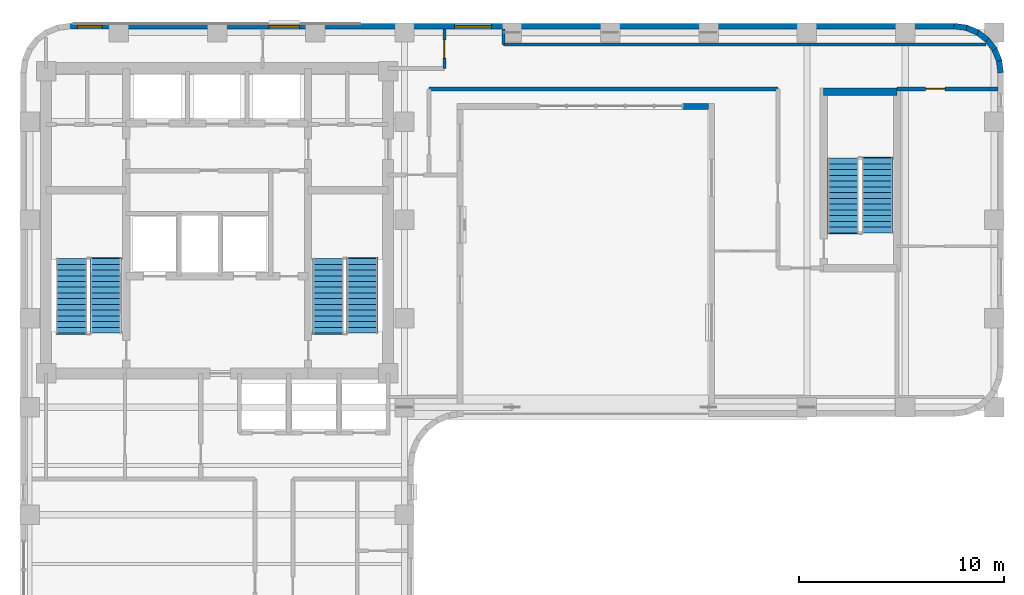
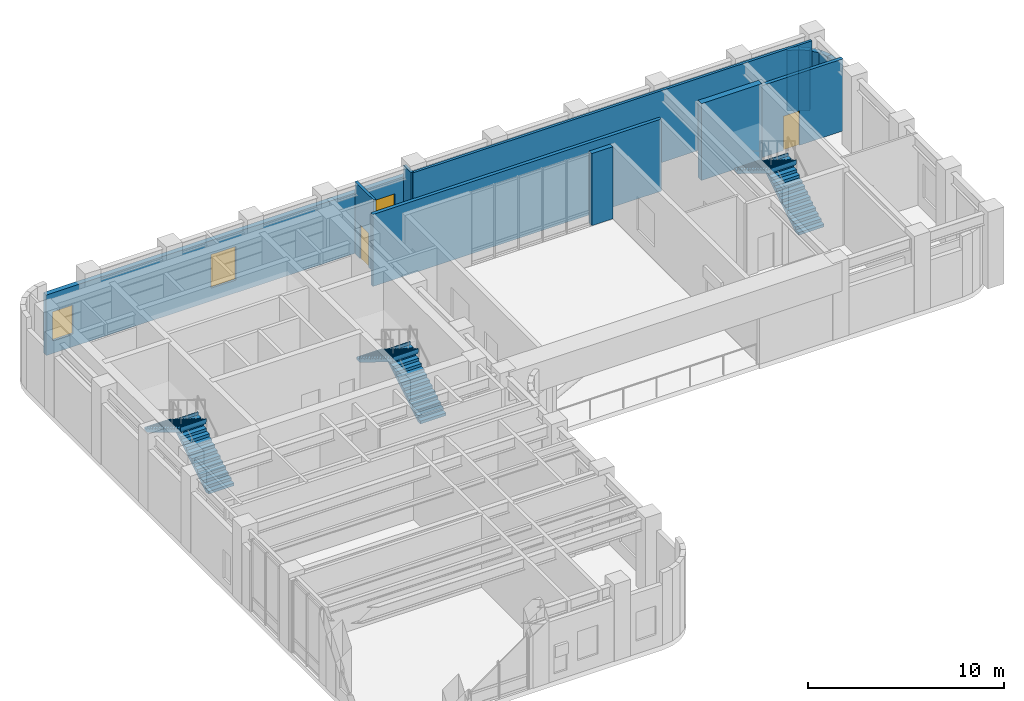
# One storey, part 9 of 12: 14 walls, 6 stair flights, 3 windows, 2 doors, 5 openings, 3 elements without a shape of their own.
"""IFC4 building model written with IfcOpenShell, lengths in metres."""

import ifcopenshell
import ifcopenshell.guid

model = None  # the IFC model being written
_history = None  # IfcOwnerHistory: only IFC2X3 demands one
_inside = {}  # id of a spatial element -> (the spatial element, [elements in it])
_under = {}  # id of a project, library or spatial element -> (it, [spatial elements below it])
_declared = {}  # id of a project -> (the project, [libraries it declares])
_typed = {}  # id of a type object -> (the type object, [elements of that type])
_made_of = {}  # id of a material, layer set ... -> (it, [elements and type objects made of it])


def new_model(schema):
    """Start an empty IFC model of exactly this schema.

    Asked for "IFC4X3", IfcOpenShell would pick the latest addendum, in which some entities
    have other attributes; the version numbers below select the first issue.
    IFC2X3 requires an IfcOwnerHistory on every rooted entity: one is made here for all.
    """
    global model, _history
    if schema == "IFC4X3":
        model = ifcopenshell.file(schema_version=(4, 3, 0, 0))
    else:
        model = ifcopenshell.file(schema=schema)
    _inside.clear()
    _under.clear()
    _declared.clear()
    _typed.clear()
    _made_of.clear()
    _history = None
    if model.schema == "IFC2X3":
        org = make("IfcOrganization", Name="unknown")
        user = make(
            "IfcPersonAndOrganization",
            ThePerson=make("IfcPerson", FamilyName="unknown"),
            TheOrganization=org,
        )
        app = make(
            "IfcApplication",
            ApplicationDeveloper=org,
            Version="unknown",
            ApplicationFullName="unknown",
            ApplicationIdentifier="unknown",
        )
        _history = make(
            "IfcOwnerHistory",
            OwningUser=user,
            OwningApplication=app,
            ChangeAction="ADDED",
            CreationDate=0,
        )
    return model


def make(cls, **values):
    """One entity of the class cls with the attributes given. An attribute that is None is left unset."""
    return model.create_entity(
        cls, **{name: value for name, value in values.items() if value is not None}
    )


def rooted(cls, **values):
    """An entity with a GlobalId (a new one), such as an element, a storey or a relation."""
    return make(cls, GlobalId=ifcopenshell.guid.new(), OwnerHistory=_history, **values)


def si_unit(unit_type, name, prefix=None):
    """IfcSIUnit, for example si_unit("LENGTHUNIT", "METRE", prefix="MILLI")."""
    return make("IfcSIUnit", UnitType=unit_type, Prefix=prefix, Name=name)


def assignment(units):
    """IfcUnitAssignment: the units of a project."""
    return None if units is None else make("IfcUnitAssignment", Units=units)


def point(xyz):
    """IfcCartesianPoint."""
    return None if xyz is None else make("IfcCartesianPoint", Coordinates=xyz)


def direction(xyz):
    """IfcDirection."""
    return None if xyz is None else make("IfcDirection", DirectionRatios=xyz)


def frame(location, z_axis=None, x_axis=None):
    """IfcAxis2Placement3D, a coordinate frame: its origin and axes. An axis left out is left unset."""
    return make(
        "IfcAxis2Placement3D",
        Location=point(location),
        Axis=direction(z_axis),
        RefDirection=direction(x_axis),
    )


def frame_2d(location, x_axis=None):
    """IfcAxis2Placement2D, a coordinate frame in the plane: its origin and x axis."""
    return make(
        "IfcAxis2Placement2D", Location=point(location), RefDirection=direction(x_axis)
    )


def origin():
    """The frame at (0, 0, 0) with its axes left unset."""
    return frame((0.0, 0.0, 0.0))


def place(relative_to, where):
    """IfcLocalPlacement: puts the frame where relative to a parent placement (None: the world)."""
    return make(
        "IfcLocalPlacement", PlacementRelTo=relative_to, RelativePlacement=where
    )


def context(
    kind, dimensions, precision=None, world=None, true_north=None, identifier=None
):
    """IfcGeometricRepresentationContext, for example the 3D "Model" context."""
    return make(
        "IfcGeometricRepresentationContext",
        ContextIdentifier=identifier,
        ContextType=kind,
        CoordinateSpaceDimension=dimensions,
        Precision=precision,
        WorldCoordinateSystem=world,
        TrueNorth=true_north,
    )


def subcontext(parent, identifier, kind, view, scale=None):
    """IfcGeometricRepresentationSubContext, for example "Body" below "Model"."""
    return make(
        "IfcGeometricRepresentationSubContext",
        ContextIdentifier=identifier,
        ContextType=kind,
        ParentContext=parent,
        TargetScale=scale,
        TargetView=view,
    )


def project(units=None, contexts=None):
    """IfcProject with its units and contexts."""
    return rooted(
        "IfcProject",
        Name="project",
        RepresentationContexts=contexts,
        UnitsInContext=assignment(units),
    )


def spatial(cls, under=None, at=None, **own):
    """A site, building, storey or space (cls), placed at a placement, below another one or the project."""
    s = rooted(cls, ObjectPlacement=at, **own)
    if under is not None:
        _under.setdefault(under.id(), (under, []))[1].append(s)
    return s


def polyline(points):
    """IfcPolyline through the points."""
    return make("IfcPolyline", Points=[point(p) for p in points])


def profile(cls, at=None, kind="AREA", **sizes):
    """A parametric profile (cls). Its sizes go by their IFC names, for example OverallWidth=200.0."""
    return make(cls, ProfileType=kind, Position=at, **sizes)


def rectangle(**sizes):
    """IfcRectangleProfileDef."""
    return profile("IfcRectangleProfileDef", **sizes)


def outline(outer, holes=None, kind="AREA"):
    """IfcArbitraryClosedProfileDef: a profile drawn as a closed curve; with holes, ...WithVoids."""
    if holes is None:
        return make("IfcArbitraryClosedProfileDef", ProfileType=kind, OuterCurve=outer)
    return make(
        "IfcArbitraryProfileDefWithVoids",
        ProfileType=kind,
        OuterCurve=outer,
        InnerCurves=holes,
    )


def extrude(swept, where, along, depth):
    """IfcExtrudedAreaSolid: the profile swept, set in the frame where, extruded along a direction by depth."""
    return make(
        "IfcExtrudedAreaSolid",
        SweptArea=swept,
        Position=where,
        ExtrudedDirection=direction(along),
        Depth=depth,
    )


def shape(context_of_items, identifier, shape_type, items):
    """IfcShapeRepresentation: the items that make up one representation, for example the "Body"."""
    return make(
        "IfcShapeRepresentation",
        ContextOfItems=context_of_items,
        RepresentationIdentifier=identifier,
        RepresentationType=shape_type,
        Items=items,
    )


def material(Name=None, Category=None):
    """IfcMaterial."""
    return make("IfcMaterial", Name=Name, Category=Category)


def layer(
    of_material, thickness, ventilated=None, Name=None, Category=None, Priority=None
):
    """IfcMaterialLayer: one layer of a wall or slab, of a material (None: an air gap)."""
    return make(
        "IfcMaterialLayer",
        Material=of_material,
        LayerThickness=thickness,
        IsVentilated=ventilated,
        Name=Name,
        Category=Category,
        Priority=Priority,
    )


def layer_set(layers, Name=None):
    """IfcMaterialLayerSet."""
    return make("IfcMaterialLayerSet", MaterialLayers=layers, LayerSetName=Name)


def made_of(thing, what):
    """Note that an element or type object is made of a material, layer set ...; save() writes the relation."""
    if what is not None:
        _made_of.setdefault(what.id(), (what, []))[1].append(thing)
    return thing


def type_object(cls, material=None, **own):
    """A type object (cls), such as IfcWallType, which elements share."""
    return made_of(rooted(cls, **own), material)


def element(
    cls,
    number,
    at=None,
    inside=None,
    cuts=None,
    type_object=None,
    material=None,
    context=None,
    identifier="Body",
    shape_type=None,
    held_by="IfcProductDefinitionShape",
    body=None,
    shapes=None,
    **own,
):
    """One element of the class cls, such as IfcWall. Its Tag is "e" and its number.

    at: its placement. inside: the storey or other place that contains it. cuts: it is an
    opening in that element (IfcRelVoidsElement). A single representation is given by context,
    identifier, shape_type and body (its items); several are given by shapes. held_by: the class
    of the entity that holds the representations. save() writes the other relations.
    """
    e = rooted(cls, Tag="e%d" % number, ObjectPlacement=at, **own)
    if body is not None:
        shapes = [shape(context, identifier, shape_type, body)]
    if shapes is not None:
        e.Representation = make(held_by, Representations=shapes)
    if inside is not None:
        _inside.setdefault(inside.id(), (inside, []))[1].append(e)
    if cuts is not None:
        rooted(
            "IfcRelVoidsElement", RelatingBuildingElement=cuts, RelatedOpeningElement=e
        )
    if type_object is not None:
        _typed.setdefault(type_object.id(), (type_object, []))[1].append(e)
    return made_of(e, material)


def fill(opening, filler):
    """IfcRelFillsElement: the door or window that sits in an opening."""
    return rooted(
        "IfcRelFillsElement",
        RelatingOpeningElement=opening,
        RelatedBuildingElement=filler,
    )


def aggregate(whole, parts):
    """IfcRelAggregates: a whole, such as a stair, and the parts it consists of."""
    return rooted("IfcRelAggregates", RelatingObject=whole, RelatedObjects=parts)


def save(model, path):
    """Write the relations noted so far, then the file.

    IfcRelAggregates (storeys below a building ...), IfcRelContainedInSpatialStructure (elements
    in a storey), IfcRelDefinesByType, IfcRelAssociatesMaterial and IfcRelDeclares: one each for
    every whole, place, type object, material and project.
    """
    for whole, parts in _under.values():
        aggregate(whole, parts)
    for where, things in _inside.values():
        rooted(
            "IfcRelContainedInSpatialStructure",
            RelatedElements=things,
            RelatingStructure=where,
        )
    for kind, things in _typed.values():
        rooted("IfcRelDefinesByType", RelatedObjects=things, RelatingType=kind)
    for what, things in _made_of.values():
        rooted("IfcRelAssociatesMaterial", RelatedObjects=things, RelatingMaterial=what)
    for by, libraries in _declared.values():
        rooted("IfcRelDeclares", RelatingContext=by, RelatedDefinitions=libraries)
    model.write(path)


model = new_model("IFC4")

# Units and contexts
model_context = context("Model", 3, precision=1e-05, world=origin(), true_north=direction((0.0, 1.0)))
body_context = subcontext(model_context, "Body", "Model", "MODEL_VIEW")
ifc_project = project(units=[si_unit("LENGTHUNIT", "METRE"), si_unit("AREAUNIT", "SQUARE_METRE"), si_unit("VOLUMEUNIT", "CUBIC_METRE"), si_unit("PLANEANGLEUNIT", "RADIAN"), si_unit("MASSUNIT", "GRAM", prefix="KILO")], contexts=[model_context])

# Site, building, storey
site_placement = place(None, origin())
site = spatial("IfcSite", under=ifc_project, at=site_placement, CompositionType="ELEMENT")
building_placement = place(site_placement, origin())
building = spatial("IfcBuilding", under=site, at=building_placement, Name="Orvandelia Arch Residences", CompositionType="ELEMENT")
storey_placement = place(building_placement, frame((0.0, 0.0, 193.60009765625)))
storey = spatial("IfcBuildingStorey", under=building, at=storey_placement, Name="L51", CompositionType="ELEMENT", Elevation=193.60009765625)

# Walls
ifc_material_1 = material(Name="Concrete C50/60", Category="concrete")
ifc_layer_1 = layer(ifc_material_1, 0.35009765625, Name="Concrete C50/60", Category="concrete")
ifc_layer_set_1 = layer_set([ifc_layer_1], Name="Concrete C50/60")
wall_type_1 = type_object("IfcWallType", Name="WL-CORE-350", PredefinedType="SHEAR", material=ifc_layer_set_1)
wall_1_placement = place(storey_placement, frame((44.02001953125, 44.659912109375, 0.0), z_axis=(0.0, 0.0, 1.0), x_axis=(1.0, 0.0, 0.0)))
element("IfcWall", 1, at=wall_1_placement, inside=storey, type_object=wall_type_1, Name="East Stair Core Shear Wall L51-N", PredefinedType="SHEAR", context=body_context, shape_type="SweptSolid", body=[
    extrude(rectangle(XDim=3.580078125, YDim=0.35009765625, at=frame_2d((1.7900390625, 0.0))), origin(), (0.0, 0.0, 1.0), 4.7998046875),
])
ifc_material_2 = material(Name="Fire-Rated Corridor Partition")
ifc_layer_2 = layer(ifc_material_2, 0.199951171875, Name="Fire-Rated Corridor Partition")
ifc_layer_set_2 = layer_set([ifc_layer_2], Name="Fire-Rated Corridor Partition")
wall_type_2 = type_object("IfcWallType", Name="WL-CORR-200", PredefinedType="PARTITIONING", material=ifc_layer_set_2)
wall_2_placement = place(storey_placement, frame((24.75, 44.800048828125, 0.0), z_axis=(0.0, 0.0, 1.0), x_axis=(1.0, 0.0, 0.0)))
element("IfcWall", 2, at=wall_2_placement, inside=storey, type_object=wall_type_2, Name="Interior Partition Wall WL-L51-SKES1", PredefinedType="PARTITIONING", context=body_context, shape_type="SweptSolid", body=[
    extrude(rectangle(XDim=17.030029296875, YDim=0.199951171875, at=frame_2d((8.51513671875, 0.0))), origin(), (0.0, 0.0, 1.0), 4.5),
])

# Wall, opening, door
wall_3_placement = place(storey_placement, frame((47.60009765625, 44.800048828125, 0.0), z_axis=(0.0, 0.0, 1.0), x_axis=(1.0, 0.0, 0.0)))
wall_3 = element("IfcWall", 3, at=wall_3_placement, inside=storey, type_object=wall_type_2, Name="Interior Partition Wall WL-L51-SKES2", PredefinedType="PARTITIONING", context=body_context, shape_type="SweptSolid", body=[
    extrude(rectangle(XDim=4.919921875, YDim=0.199951171875, at=frame_2d((2.4599609375, 0.0))), origin(), (0.0, 0.0, 1.0), 4.5),
])
opening_1_placement = place(wall_3_placement, frame((1.39990234375, 0.0, 0.0)))
opening_1 = element("IfcOpeningElement", 4, at=opening_1_placement, cuts=wall_3, Name="Opening D2", PredefinedType="OPENING", context=body_context, shape_type="SweptSolid", body=[
    extrude(rectangle(XDim=0.949951171875, YDim=2.14990234375, at=frame_2d((0.47509765625, 1.074951171875))), frame((0.0, 0.10986328125, 0.0), z_axis=(0.0, -1.0, 0.0), x_axis=(1.0, 0.0, 0.0)), (0.0, 0.0, 1.0), 0.219970703125),
])
ifc_material_3 = material(Name="Solid-Core Timber Interior Fire Door", Category="wood")
door_type_1 = type_object("IfcDoorType", Name="DR-APT-950", OperationType="NOTDEFINED", PredefinedType="DOOR", material=ifc_material_3)
door_1_placement = place(opening_1_placement, origin())
door_1 = element("IfcDoor", 5, at=door_1_placement, inside=storey, type_object=door_type_1, Name="DR-L51-SKEL2A", OperationType="SINGLE_SWING_RIGHT", OverallHeight=2.14990234375, OverallWidth=0.949951171875, PredefinedType="DOOR", context=body_context, shape_type="SweptSolid", body=[
    extrude(rectangle(XDim=0.949951171875, YDim=2.14990234375, at=frame_2d((0.47509765625, 1.074951171875))), frame((0.0, 0.02490234375, 0.0), z_axis=(0.0, -1.0, 0.0), x_axis=(1.0, 0.0, 0.0)), (0.0, 0.0, 1.0), 0.050048828125),
])
fill(opening_1, door_1)

# Wall, openings, windows
ifc_material_4 = material(Name="Precast concrete C40/50", Category="concrete")
ifc_layer_3 = layer(ifc_material_4, 0.280029296875, Name="Precast concrete C40/50", Category="concrete")
ifc_layer_set_3 = layer_set([ifc_layer_3], Name="Precast concrete C40/50")
wall_type_3 = type_object("IfcWallType", Name="WL-EXT-STONE-280", PredefinedType="STANDARD", material=ifc_layer_set_3)
wall_4_placement = place(storey_placement, frame((7.199951171875, 47.860107421875, 0.0), z_axis=(0.0, 0.0, 1.0), x_axis=(1.0, 0.0, 0.0)))
wall_4 = element("IfcWall", 6, at=wall_4_placement, inside=storey, type_object=wall_type_3, Name="Coral-Limestone Precast Facade Wall L51-007", PredefinedType="STANDARD", context=body_context, shape_type="SweptSolid", body=[
    extrude(rectangle(XDim=43.199951171875, YDim=0.280029296875, at=frame_2d((21.60009765625, 0.0))), origin(), (0.0, 0.0, 1.0), 3.77978515625),
])
opening_2_placement = place(wall_4_placement, frame((18.802490234375, 0.0, 0.800048828125)))
opening_2 = element("IfcOpeningElement", 7, at=opening_2_placement, cuts=wall_4, Name="Opening W1", PredefinedType="OPENING", context=body_context, shape_type="SweptSolid", body=[
    extrude(rectangle(XDim=1.800048828125, YDim=2.10009765625, at=frame_2d((0.89990234375, 1.050048828125))), frame((0.0, 0.14990234375, 0.0), z_axis=(0.0, -1.0, 0.0), x_axis=(1.0, 0.0, 0.0)), (0.0, 0.0, 1.0), 0.300048828125),
])
opening_3_placement = place(wall_4_placement, frame((0.382568359375, 0.0, 0.800048828125)))
opening_3 = element("IfcOpeningElement", 8, at=opening_3_placement, cuts=wall_4, Name="Opening W3", PredefinedType="OPENING", context=body_context, shape_type="SweptSolid", body=[
    extrude(rectangle(XDim=1.199951171875, YDim=1.800048828125, at=frame_2d((0.60009765625, 0.89990234375))), frame((0.0, 0.14990234375, 0.0), z_axis=(0.0, -1.0, 0.0), x_axis=(1.0, 0.0, 0.0)), (0.0, 0.0, 1.0), 0.300048828125),
])
opening_4_placement = place(wall_4_placement, frame((9.722412109375, 0.0, 0.800048828125)))
opening_4 = element("IfcOpeningElement", 9, at=opening_4_placement, cuts=wall_4, Name="Opening W2", PredefinedType="OPENING", context=body_context, shape_type="SweptSolid", body=[
    extrude(rectangle(XDim=1.5, YDim=2.10009765625, at=frame_2d((0.75, 1.050048828125))), frame((0.0, 0.14990234375, 0.0), z_axis=(0.0, -1.0, 0.0), x_axis=(1.0, 0.0, 0.0)), (0.0, 0.0, 1.0), 0.300048828125),
])
ifc_material_5 = material(Name="Tempered Low-E Insulated Glazing", Category="glass")
window_type_1 = type_object("IfcWindowType", Name="WIN-RES-1200x1800", PartitioningType="SINGLE_PANEL", PredefinedType="WINDOW", material=ifc_material_5)
window_1_placement = place(opening_3_placement, origin())
window_1 = element("IfcWindow", 10, at=window_1_placement, inside=storey, type_object=window_type_1, Name="Recessed Punched Window L51-002", OverallHeight=1.800048828125, OverallWidth=1.199951171875, PartitioningType="SINGLE_PANEL", PredefinedType="WINDOW", context=body_context, shape_type="SweptSolid", body=[
    extrude(rectangle(XDim=1.199951171875, YDim=1.800048828125, at=frame_2d((0.60009765625, 0.89990234375))), frame((0.0, 0.030029296875, 0.0), z_axis=(0.0, -1.0, 0.0), x_axis=(1.0, 0.0, 0.0)), (0.0, 0.0, 1.0), 0.06005859375),
])
fill(opening_3, window_1)
window_type_2 = type_object("IfcWindowType", Name="WIN-RES-1500x2100", PartitioningType="SINGLE_PANEL", PredefinedType="WINDOW", material=ifc_material_5)
window_2_placement = place(opening_4_placement, origin())
window_2 = element("IfcWindow", 11, at=window_2_placement, inside=storey, type_object=window_type_2, Name="Recessed Punched Window L51-003", OverallHeight=2.10009765625, OverallWidth=1.5, PartitioningType="SINGLE_PANEL", PredefinedType="WINDOW", context=body_context, shape_type="SweptSolid", body=[
    extrude(rectangle(XDim=1.5, YDim=2.10009765625, at=frame_2d((0.75, 1.050048828125))), frame((0.0, 0.030029296875, 0.0), z_axis=(0.0, -1.0, 0.0), x_axis=(1.0, 0.0, 0.0)), (0.0, 0.0, 1.0), 0.06005859375),
])
fill(opening_4, window_2)
window_type_3 = type_object("IfcWindowType", Name="WIN-RES-1800x2100", PartitioningType="SINGLE_PANEL", PredefinedType="WINDOW", material=ifc_material_5)
window_3_placement = place(opening_2_placement, origin())
window_3 = element("IfcWindow", 12, at=window_3_placement, inside=storey, type_object=window_type_3, Name="Recessed Punched Window L51-001", OverallHeight=2.10009765625, OverallWidth=1.800048828125, PartitioningType="SINGLE_PANEL", PredefinedType="WINDOW", context=body_context, shape_type="SweptSolid", body=[
    extrude(rectangle(XDim=1.800048828125, YDim=2.10009765625, at=frame_2d((0.89990234375, 1.050048828125))), frame((0.0, 0.030029296875, 0.0), z_axis=(0.0, -1.0, 0.0), x_axis=(1.0, 0.0, 0.0)), (0.0, 0.0, 1.0), 0.06005859375),
])
fill(opening_2, window_3)

# Walls
wall_5_placement = place(storey_placement, frame((50.381591796875, 47.861083984375, 0.0), z_axis=(0.0, 0.0, 1.0), x_axis=(0.991447664465, -0.130504898859, 0.0)))
element("IfcWall", 13, at=wall_5_placement, inside=storey, type_object=wall_type_3, Name="Coral-Limestone Precast Facade Wall L51-008", PredefinedType="STANDARD", context=body_context, shape_type="SweptSolid", body=[
    extrude(rectangle(XDim=0.626708984375, YDim=0.280029296875, at=frame_2d((0.3134765625, 0.0))), origin(), (0.0, 0.0, 1.0), 3.77978515625),
])
for number, where, z_axis, x_axis, name in (
    (14, (50.967529296875, 47.788818359375, 0.0), (0.0, 0.0, 1.0), (0.924031075431, -0.382317370307, 0.0), "Coral-Limestone Precast Facade Wall L51-009"),
    (15, (51.514892578125, 47.5673828125, 0.0), (0.0, 0.0, 1.0), (0.793405610854, -0.608693302629, 0.0), "Coral-Limestone Precast Facade Wall L51-010"),
    (16, (51.986083984375, 47.2119140625, 0.0), (0.0, 0.0, 1.0), (0.608693302629, -0.793405610854, 0.0), "Coral-Limestone Precast Facade Wall L51-011"),
    (17, (52.34912109375, 46.746337890625, 0.0), (0.0, 0.0, 1.0), (0.382650053678, -0.92389335771, 0.0), "Coral-Limestone Precast Facade Wall L51-012"),
    (18, (52.579345703125, 46.202880859375, 0.0), (0.0, 0.0, 1.0), (0.130555323746, -0.9914410257, 0.0), "Coral-Limestone Precast Facade Wall L51-013"),
):
    element("IfcWall", number, at=place(storey_placement, frame(where, z_axis=z_axis, x_axis=x_axis)), inside=storey, type_object=wall_type_3, Name=name, PredefinedType="STANDARD", context=body_context, shape_type="SweptSolid", body=[
        extrude(rectangle(XDim=0.62646484375, YDim=0.280029296875, at=frame_2d((0.313232421875, 0.0))), origin(), (0.0, 0.0, 1.0), 3.77978515625),
    ])
wall_6_placement = place(storey_placement, frame((38.39990234375, 43.93994140625, 0.0), z_axis=(0.0, 0.0, 1.0), x_axis=(-1.0, 0.0, 0.0)))
element("IfcWall", 19, at=wall_6_placement, inside=storey, type_object=wall_type_3, Name="Coral-Limestone Precast Facade Wall L51-023", PredefinedType="STANDARD", context=body_context, shape_type="SweptSolid", body=[
    extrude(rectangle(XDim=1.239990234375, YDim=0.280029296875, at=frame_2d((0.6201171875, 0.0))), origin(), (0.0, 0.0, 1.0), 4.5),
])

# Wall, opening, door
ifc_material_6 = material(Name="Acoustic Gypsum Stud Partition")
ifc_layer_4 = layer(ifc_material_6, 0.14990234375, Name="Acoustic Gypsum Stud Partition")
ifc_layer_set_4 = layer_set([ifc_layer_4], Name="Acoustic Gypsum Stud Partition")
wall_type_4 = type_object("IfcWallType", Name="WL-PART-150", PredefinedType="PARTITIONING", material=ifc_layer_set_4)
wall_7_placement = place(storey_placement, frame((25.5, 45.800048828125, 0.0), z_axis=(0.0, 0.0, 1.0), x_axis=(0.0, 1.0, 0.0)))
wall_7 = element("IfcWall", 20, at=wall_7_placement, inside=storey, type_object=wall_type_4, Name="Interior Partition Wall WL-L51-SKNC-E", PredefinedType="PARTITIONING", context=body_context, shape_type="SweptSolid", body=[
    extrude(rectangle(XDim=1.919921875, YDim=0.14990234375, at=frame_2d((0.9599609375, 0.0))), origin(), (0.0, 0.0, 1.0), 4.5),
])
opening_5_placement = place(wall_7_placement, frame((0.5, 0.0, 0.0)))
opening_5 = element("IfcOpeningElement", 21, at=opening_5_placement, cuts=wall_7, Name="Opening D5", PredefinedType="OPENING", context=body_context, shape_type="SweptSolid", body=[
    extrude(rectangle(XDim=0.8798828125, YDim=2.10009765625, at=frame_2d((0.43994140625, 1.050048828125))), frame((0.0, 0.0849609375, 0.0), z_axis=(0.0, -1.0, 0.0), x_axis=(1.0, 0.0, 0.0)), (0.0, 0.0, 1.0), 0.169921875),
])
ifc_material_7 = material(Name="Painted Galvanised Steel Service Door", Category="steel")
door_type_2 = type_object("IfcDoorType", Name="DR-SRV-880", OperationType="NOTDEFINED", PredefinedType="DOOR", material=ifc_material_7)
door_2_placement = place(opening_5_placement, origin())
door_2 = element("IfcDoor", 22, at=door_2_placement, inside=storey, type_object=door_type_2, Name="DR-L51-SKNP2", OperationType="SINGLE_SWING_LEFT", OverallHeight=2.10009765625, OverallWidth=0.8798828125, PredefinedType="DOOR", context=body_context, shape_type="SweptSolid", body=[
    extrude(rectangle(XDim=0.8798828125, YDim=2.10009765625, at=frame_2d((0.43994140625, 1.050048828125))), frame((0.0, 0.02490234375, 0.0), z_axis=(0.0, -1.0, 0.0), x_axis=(1.0, 0.0, 0.0)), (0.0, 0.0, 1.0), 0.050048828125),
])
fill(opening_5, door_2)

# Walls
wall_8_placement = place(storey_placement, frame((28.3798828125, 46.9599609375, 0.0), z_axis=(0.0, 0.0, 1.0), x_axis=(0.0, 1.0, 0.0)))
element("IfcWall", 23, at=wall_8_placement, inside=storey, type_object=wall_type_4, Name="Interior Partition Wall WL-L51-TRUSS-NW", PredefinedType="PARTITIONING", context=body_context, shape_type="SweptSolid", body=[
    extrude(rectangle(XDim=0.760009765625, YDim=0.14990234375, at=frame_2d((0.3798828125, 0.0))), origin(), (0.0, 0.0, 1.0), 4.5),
])
wall_9_placement = place(storey_placement, frame((28.3798828125, 46.9599609375, 0.0), z_axis=(0.0, 0.0, 1.0), x_axis=(1.0, 0.0, 0.0)))
element("IfcWall", 24, at=wall_9_placement, inside=storey, type_object=wall_type_4, Name="Interior Partition Wall WL-L51-TRUSS-N", PredefinedType="PARTITIONING", context=body_context, shape_type="SweptSolid", body=[
    extrude(rectangle(XDim=23.56005859375, YDim=0.14990234375, at=frame_2d((11.780029296875, 0.0))), origin(), (0.0, 0.0, 1.0), 4.5),
])

# Stair, stair flights
ifc_material_8 = material(Name="Concrete C40/50", Category="concrete")
stair_type = type_object("IfcStairType", Name="STAIR-RC-DOGLEG", PredefinedType="HALF_TURN_STAIR", material=ifc_material_8)
stair_1_placement = place(storey_placement, origin())
stair_1 = element("IfcStair", 25, at=stair_1_placement, inside=storey, type_object=stair_type, Name="L51 Protected Exit Stair ST-1", PredefinedType="HALF_TURN_STAIR")
stair_flight_type = type_object("IfcStairFlightType", Name="STFLT-RC-1520", PredefinedType="STRAIGHT", material=ifc_material_8)
stair_flight_1_placement = place(storey_placement, frame((8.9599609375, 32.8701171875, 0.0), z_axis=(0.0, 0.0, 1.0), x_axis=(0.0, 1.0, 0.0)))
stair_flight_1 = element("IfcStairFlight", 26, at=stair_flight_1_placement, type_object=stair_flight_type, Name="ST-1 flight 1", NumberOfRisers=14, NumberOfTreads=13, PredefinedType="STRAIGHT", RiserHeight=0.171428571, TreadLength=0.28, context=body_context, shape_type="SweptSolid", body=[
    extrude(outline(polyline([(0.0, 0.0), (0.0, 0.17138671875), (0.280029296875, 0.17138671875), (0.280029296875, 0.3427734375), (0.56005859375, 0.3427734375), (0.56005859375, 0.514404296875), (0.840087890625, 0.514404296875), (0.840087890625, 0.685791015625), (1.1201171875, 0.685791015625), (1.1201171875, 0.857177734375), (1.39990234375, 0.857177734375), (1.39990234375, 1.028564453125), (1.679931640625, 1.028564453125), (1.679931640625, 1.199951171875), (1.9599609375, 1.199951171875), (1.9599609375, 1.371337890625), (2.239990234375, 1.371337890625), (2.239990234375, 1.54296875), (2.52001953125, 1.54296875), (2.52001953125, 1.71435546875), (2.800048828125, 1.71435546875), (2.800048828125, 1.8857421875), (3.080078125, 1.8857421875), (3.080078125, 2.05712890625), (3.360107421875, 2.05712890625), (3.360107421875, 2.228515625), (3.639892578125, 2.228515625), (3.639892578125, 2.39990234375), (3.699951171875, 2.39990234375), (3.699951171875, 2.219970703125), (3.639892578125, 2.052734375), (0.287109375, 0.0), (0.0, 0.0)])), frame((0.0, 0.760009765625, 0.0), z_axis=(0.0, -1.0, 0.0), x_axis=(1.0, 0.0, 0.0)), (0.0, 0.0, 1.0), 1.52001953125),
])
stair_flight_2_placement = place(storey_placement, frame((7.2900390625, 36.510009765625, 2.39990234375), z_axis=(0.0, 0.0, 1.0), x_axis=(0.0, -1.0, 0.0)))
stair_flight_2 = element("IfcStairFlight", 27, at=stair_flight_2_placement, type_object=stair_flight_type, Name="ST-1 flight 2", NumberOfRisers=14, NumberOfTreads=13, PredefinedType="STRAIGHT", RiserHeight=0.171428571, TreadLength=0.28, context=body_context, shape_type="SweptSolid", body=[
    extrude(outline(polyline([(0.0, 0.0), (0.0, 0.17138671875), (0.280029296875, 0.17138671875), (0.280029296875, 0.3427734375), (0.56005859375, 0.3427734375), (0.56005859375, 0.514404296875), (0.840087890625, 0.514404296875), (0.840087890625, 0.685791015625), (1.1201171875, 0.685791015625), (1.1201171875, 0.857177734375), (1.39990234375, 0.857177734375), (1.39990234375, 1.028564453125), (1.679931640625, 1.028564453125), (1.679931640625, 1.199951171875), (1.9599609375, 1.199951171875), (1.9599609375, 1.371337890625), (2.239990234375, 1.371337890625), (2.239990234375, 1.54296875), (2.52001953125, 1.54296875), (2.52001953125, 1.71435546875), (2.800048828125, 1.71435546875), (2.800048828125, 1.8857421875), (3.080078125, 1.8857421875), (3.080078125, 2.05712890625), (3.360107421875, 2.05712890625), (3.360107421875, 2.228515625), (3.639892578125, 2.228515625), (3.639892578125, 2.39990234375), (3.699951171875, 2.39990234375), (3.699951171875, 2.219970703125), (3.639892578125, 2.052734375), (0.287109375, 0.0), (0.0, 0.0)])), frame((0.0, 0.760009765625, 0.0), z_axis=(0.0, -1.0, 0.0), x_axis=(1.0, 0.0, 0.0)), (0.0, 0.0, 1.0), 1.52001953125),
])
aggregate(stair_1, [stair_flight_1, stair_flight_2])

stair_2_placement = place(storey_placement, origin())
stair_2 = element("IfcStair", 28, at=stair_2_placement, inside=storey, type_object=stair_type, Name="L51 Protected Exit Stair ST-2", PredefinedType="HALF_TURN_STAIR")
stair_flight_3_placement = place(storey_placement, frame((21.489990234375, 32.8701171875, 0.0), z_axis=(0.0, 0.0, 1.0), x_axis=(0.0, 1.0, 0.0)))
stair_flight_3 = element("IfcStairFlight", 29, at=stair_flight_3_placement, type_object=stair_flight_type, Name="ST-2 flight 1", NumberOfRisers=14, NumberOfTreads=13, PredefinedType="STRAIGHT", RiserHeight=0.171428571, TreadLength=0.28, context=body_context, shape_type="SweptSolid", body=[
    extrude(outline(polyline([(0.0, 0.0), (0.0, 0.17138671875), (0.280029296875, 0.17138671875), (0.280029296875, 0.3427734375), (0.56005859375, 0.3427734375), (0.56005859375, 0.514404296875), (0.840087890625, 0.514404296875), (0.840087890625, 0.685791015625), (1.1201171875, 0.685791015625), (1.1201171875, 0.857177734375), (1.39990234375, 0.857177734375), (1.39990234375, 1.028564453125), (1.679931640625, 1.028564453125), (1.679931640625, 1.199951171875), (1.9599609375, 1.199951171875), (1.9599609375, 1.371337890625), (2.239990234375, 1.371337890625), (2.239990234375, 1.54296875), (2.52001953125, 1.54296875), (2.52001953125, 1.71435546875), (2.800048828125, 1.71435546875), (2.800048828125, 1.8857421875), (3.080078125, 1.8857421875), (3.080078125, 2.05712890625), (3.360107421875, 2.05712890625), (3.360107421875, 2.228515625), (3.639892578125, 2.228515625), (3.639892578125, 2.39990234375), (3.699951171875, 2.39990234375), (3.699951171875, 2.219970703125), (3.639892578125, 2.052734375), (0.287109375, 0.0), (0.0, 0.0)])), frame((0.0, 0.760009765625, 0.0), z_axis=(0.0, -1.0, 0.0), x_axis=(1.0, 0.0, 0.0)), (0.0, 0.0, 1.0), 1.52001953125),
])
stair_flight_4_placement = place(storey_placement, frame((19.820068359375, 36.510009765625, 2.39990234375), z_axis=(0.0, 0.0, 1.0), x_axis=(0.0, -1.0, 0.0)))
stair_flight_4 = element("IfcStairFlight", 30, at=stair_flight_4_placement, type_object=stair_flight_type, Name="ST-2 flight 2", NumberOfRisers=14, NumberOfTreads=13, PredefinedType="STRAIGHT", RiserHeight=0.171428571, TreadLength=0.28, context=body_context, shape_type="SweptSolid", body=[
    extrude(outline(polyline([(0.0, 0.0), (0.0, 0.17138671875), (0.280029296875, 0.17138671875), (0.280029296875, 0.3427734375), (0.56005859375, 0.3427734375), (0.56005859375, 0.514404296875), (0.840087890625, 0.514404296875), (0.840087890625, 0.685791015625), (1.1201171875, 0.685791015625), (1.1201171875, 0.857177734375), (1.39990234375, 0.857177734375), (1.39990234375, 1.028564453125), (1.679931640625, 1.028564453125), (1.679931640625, 1.199951171875), (1.9599609375, 1.199951171875), (1.9599609375, 1.371337890625), (2.239990234375, 1.371337890625), (2.239990234375, 1.54296875), (2.52001953125, 1.54296875), (2.52001953125, 1.71435546875), (2.800048828125, 1.71435546875), (2.800048828125, 1.8857421875), (3.080078125, 1.8857421875), (3.080078125, 2.05712890625), (3.360107421875, 2.05712890625), (3.360107421875, 2.228515625), (3.639892578125, 2.228515625), (3.639892578125, 2.39990234375), (3.699951171875, 2.39990234375), (3.699951171875, 2.219970703125), (3.639892578125, 2.052734375), (0.287109375, 0.0), (0.0, 0.0)])), frame((0.0, 0.760009765625, 0.0), z_axis=(0.0, -1.0, 0.0), x_axis=(1.0, 0.0, 0.0)), (0.0, 0.0, 1.0), 1.52001953125),
])
aggregate(stair_2, [stair_flight_3, stair_flight_4])

stair_3_placement = place(storey_placement, origin())
stair_3 = element("IfcStair", 31, at=stair_3_placement, inside=storey, type_object=stair_type, Name="L51 East Wing Exit Stair ST-3", PredefinedType="HALF_TURN_STAIR")
stair_flight_5_placement = place(storey_placement, frame((46.639892578125, 37.77001953125, 0.0), z_axis=(0.0, 0.0, 1.0), x_axis=(0.0, 1.0, 0.0)))
stair_flight_5 = element("IfcStairFlight", 32, at=stair_flight_5_placement, type_object=stair_flight_type, Name="ST-3 flight 1", NumberOfRisers=14, NumberOfTreads=13, PredefinedType="STRAIGHT", RiserHeight=0.171428571, TreadLength=0.28, context=body_context, shape_type="SweptSolid", body=[
    extrude(outline(polyline([(0.0, 0.0), (0.0, 0.17138671875), (0.280029296875, 0.17138671875), (0.280029296875, 0.3427734375), (0.56005859375, 0.3427734375), (0.56005859375, 0.514404296875), (0.840087890625, 0.514404296875), (0.840087890625, 0.685791015625), (1.1201171875, 0.685791015625), (1.1201171875, 0.857177734375), (1.39990234375, 0.857177734375), (1.39990234375, 1.028564453125), (1.679931640625, 1.028564453125), (1.679931640625, 1.199951171875), (1.9599609375, 1.199951171875), (1.9599609375, 1.371337890625), (2.239990234375, 1.371337890625), (2.239990234375, 1.54296875), (2.52001953125, 1.54296875), (2.52001953125, 1.71435546875), (2.800048828125, 1.71435546875), (2.800048828125, 1.8857421875), (3.080078125, 1.8857421875), (3.080078125, 2.05712890625), (3.360107421875, 2.05712890625), (3.360107421875, 2.228515625), (3.639892578125, 2.228515625), (3.639892578125, 2.39990234375), (3.699951171875, 2.39990234375), (3.699951171875, 2.219970703125), (3.639892578125, 2.052734375), (0.287109375, 0.0), (0.0, 0.0)])), frame((0.0, 0.760009765625, 0.0), z_axis=(0.0, -1.0, 0.0), x_axis=(1.0, 0.0, 0.0)), (0.0, 0.0, 1.0), 1.52001953125),
])
stair_flight_6_placement = place(storey_placement, frame((44.969970703125, 41.409912109375, 2.39990234375), z_axis=(0.0, 0.0, 1.0), x_axis=(0.0, -1.0, 0.0)))
stair_flight_6 = element("IfcStairFlight", 33, at=stair_flight_6_placement, type_object=stair_flight_type, Name="ST-3 flight 2", NumberOfRisers=14, NumberOfTreads=13, PredefinedType="STRAIGHT", RiserHeight=0.171428571, TreadLength=0.28, context=body_context, shape_type="SweptSolid", body=[
    extrude(outline(polyline([(0.0, 0.0), (0.0, 0.17138671875), (0.280029296875, 0.17138671875), (0.280029296875, 0.3427734375), (0.56005859375, 0.3427734375), (0.56005859375, 0.514404296875), (0.840087890625, 0.514404296875), (0.840087890625, 0.685791015625), (1.1201171875, 0.685791015625), (1.1201171875, 0.857177734375), (1.39990234375, 0.857177734375), (1.39990234375, 1.028564453125), (1.679931640625, 1.028564453125), (1.679931640625, 1.199951171875), (1.9599609375, 1.199951171875), (1.9599609375, 1.371337890625), (2.239990234375, 1.371337890625), (2.239990234375, 1.54296875), (2.52001953125, 1.54296875), (2.52001953125, 1.71435546875), (2.800048828125, 1.71435546875), (2.800048828125, 1.8857421875), (3.080078125, 1.8857421875), (3.080078125, 2.05712890625), (3.360107421875, 2.05712890625), (3.360107421875, 2.228515625), (3.639892578125, 2.228515625), (3.639892578125, 2.39990234375), (3.699951171875, 2.39990234375), (3.699951171875, 2.219970703125), (3.639892578125, 2.052734375), (0.287109375, 0.0), (0.0, 0.0)])), frame((0.0, 0.760009765625, 0.0), z_axis=(0.0, -1.0, 0.0), x_axis=(1.0, 0.0, 0.0)), (0.0, 0.0, 1.0), 1.52001953125),
])
aggregate(stair_3, [stair_flight_5, stair_flight_6])

save(model, "model.ifc")
